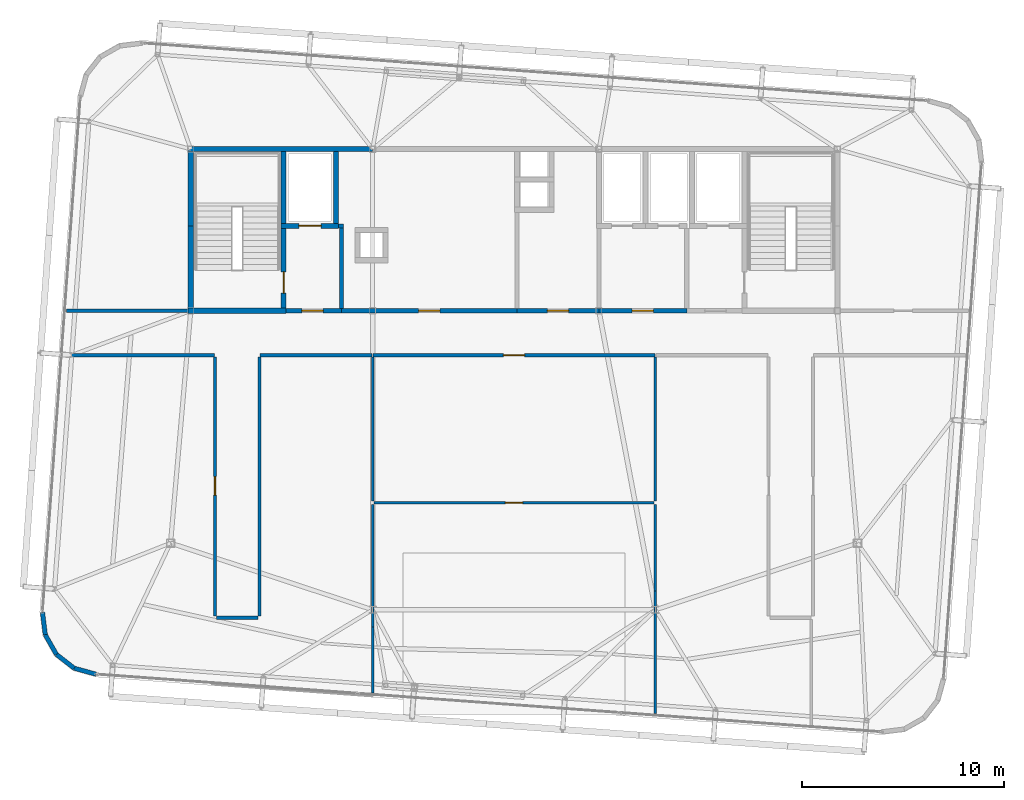
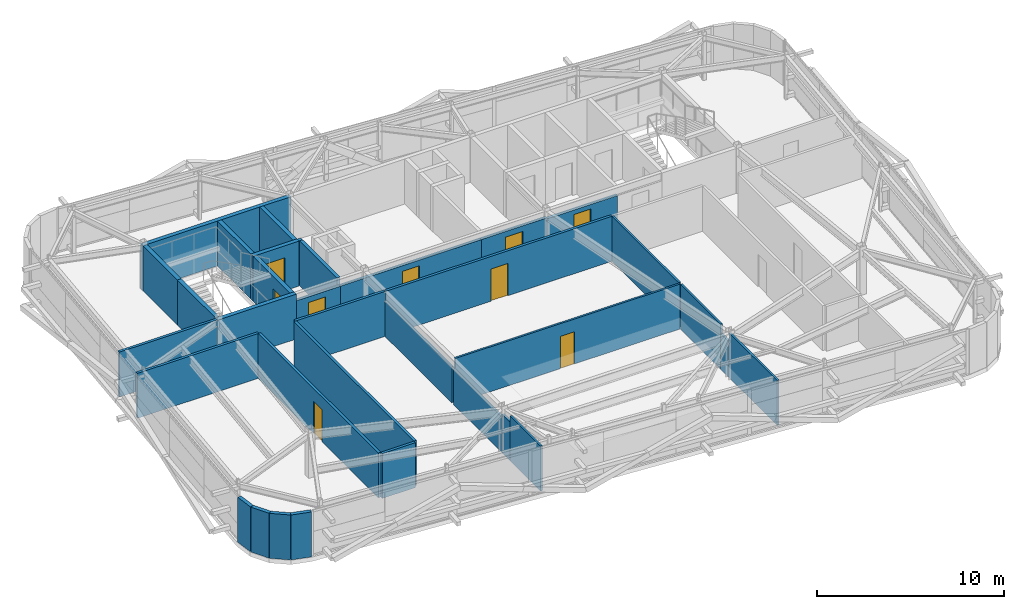
# One storey, part 31 of 35: 34 walls, 9 doors, 9 openings.
"""IFC4 building model written with IfcOpenShell, lengths in metres."""

import ifcopenshell
import ifcopenshell.guid

model = None  # the IFC model being written
_history = None  # IfcOwnerHistory: only IFC2X3 demands one
_inside = {}  # id of a spatial element -> (the spatial element, [elements in it])
_under = {}  # id of a project, library or spatial element -> (it, [spatial elements below it])
_declared = {}  # id of a project -> (the project, [libraries it declares])
_typed = {}  # id of a type object -> (the type object, [elements of that type])
_made_of = {}  # id of a material, layer set ... -> (it, [elements and type objects made of it])


def new_model(schema):
    """Start an empty IFC model of exactly this schema.

    Asked for "IFC4X3", IfcOpenShell would pick the latest addendum, in which some entities
    have other attributes; the version numbers below select the first issue.
    IFC2X3 requires an IfcOwnerHistory on every rooted entity: one is made here for all.
    """
    global model, _history
    if schema == "IFC4X3":
        model = ifcopenshell.file(schema_version=(4, 3, 0, 0))
    else:
        model = ifcopenshell.file(schema=schema)
    _inside.clear()
    _under.clear()
    _declared.clear()
    _typed.clear()
    _made_of.clear()
    _history = None
    if model.schema == "IFC2X3":
        org = make("IfcOrganization", Name="unknown")
        user = make(
            "IfcPersonAndOrganization",
            ThePerson=make("IfcPerson", FamilyName="unknown"),
            TheOrganization=org,
        )
        app = make(
            "IfcApplication",
            ApplicationDeveloper=org,
            Version="unknown",
            ApplicationFullName="unknown",
            ApplicationIdentifier="unknown",
        )
        _history = make(
            "IfcOwnerHistory",
            OwningUser=user,
            OwningApplication=app,
            ChangeAction="ADDED",
            CreationDate=0,
        )
    return model


def make(cls, **values):
    """One entity of the class cls with the attributes given. An attribute that is None is left unset."""
    return model.create_entity(
        cls, **{name: value for name, value in values.items() if value is not None}
    )


def rooted(cls, **values):
    """An entity with a GlobalId (a new one), such as an element, a storey or a relation."""
    return make(cls, GlobalId=ifcopenshell.guid.new(), OwnerHistory=_history, **values)


def si_unit(unit_type, name, prefix=None):
    """IfcSIUnit, for example si_unit("LENGTHUNIT", "METRE", prefix="MILLI")."""
    return make("IfcSIUnit", UnitType=unit_type, Prefix=prefix, Name=name)


def assignment(units):
    """IfcUnitAssignment: the units of a project."""
    return None if units is None else make("IfcUnitAssignment", Units=units)


def point(xyz):
    """IfcCartesianPoint."""
    return None if xyz is None else make("IfcCartesianPoint", Coordinates=xyz)


def direction(xyz):
    """IfcDirection."""
    return None if xyz is None else make("IfcDirection", DirectionRatios=xyz)


def frame(location, z_axis=None, x_axis=None):
    """IfcAxis2Placement3D, a coordinate frame: its origin and axes. An axis left out is left unset."""
    return make(
        "IfcAxis2Placement3D",
        Location=point(location),
        Axis=direction(z_axis),
        RefDirection=direction(x_axis),
    )


def frame_2d(location, x_axis=None):
    """IfcAxis2Placement2D, a coordinate frame in the plane: its origin and x axis."""
    return make(
        "IfcAxis2Placement2D", Location=point(location), RefDirection=direction(x_axis)
    )


def origin():
    """The frame at (0, 0, 0) with its axes left unset."""
    return frame((0.0, 0.0, 0.0))


def place(relative_to, where):
    """IfcLocalPlacement: puts the frame where relative to a parent placement (None: the world)."""
    return make(
        "IfcLocalPlacement", PlacementRelTo=relative_to, RelativePlacement=where
    )


def context(
    kind, dimensions, precision=None, world=None, true_north=None, identifier=None
):
    """IfcGeometricRepresentationContext, for example the 3D "Model" context."""
    return make(
        "IfcGeometricRepresentationContext",
        ContextIdentifier=identifier,
        ContextType=kind,
        CoordinateSpaceDimension=dimensions,
        Precision=precision,
        WorldCoordinateSystem=world,
        TrueNorth=true_north,
    )


def subcontext(parent, identifier, kind, view, scale=None):
    """IfcGeometricRepresentationSubContext, for example "Body" below "Model"."""
    return make(
        "IfcGeometricRepresentationSubContext",
        ContextIdentifier=identifier,
        ContextType=kind,
        ParentContext=parent,
        TargetScale=scale,
        TargetView=view,
    )


def project(units=None, contexts=None):
    """IfcProject with its units and contexts."""
    return rooted(
        "IfcProject",
        Name="project",
        RepresentationContexts=contexts,
        UnitsInContext=assignment(units),
    )


def spatial(cls, under=None, at=None, **own):
    """A site, building, storey or space (cls), placed at a placement, below another one or the project."""
    s = rooted(cls, ObjectPlacement=at, **own)
    if under is not None:
        _under.setdefault(under.id(), (under, []))[1].append(s)
    return s


def profile(cls, at=None, kind="AREA", **sizes):
    """A parametric profile (cls). Its sizes go by their IFC names, for example OverallWidth=200.0."""
    return make(cls, ProfileType=kind, Position=at, **sizes)


def rectangle(**sizes):
    """IfcRectangleProfileDef."""
    return profile("IfcRectangleProfileDef", **sizes)


def extrude(swept, where, along, depth):
    """IfcExtrudedAreaSolid: the profile swept, set in the frame where, extruded along a direction by depth."""
    return make(
        "IfcExtrudedAreaSolid",
        SweptArea=swept,
        Position=where,
        ExtrudedDirection=direction(along),
        Depth=depth,
    )


def shape(context_of_items, identifier, shape_type, items):
    """IfcShapeRepresentation: the items that make up one representation, for example the "Body"."""
    return make(
        "IfcShapeRepresentation",
        ContextOfItems=context_of_items,
        RepresentationIdentifier=identifier,
        RepresentationType=shape_type,
        Items=items,
    )


def source(mapping_origin, context_of_items, identifier, shape_type, items):
    """IfcRepresentationMap: a shape defined once, which mapped items show again and again."""
    return make(
        "IfcRepresentationMap",
        MappingOrigin=mapping_origin,
        MappedRepresentation=shape(context_of_items, identifier, shape_type, items),
    )


def transform(
    local_origin,
    x_axis=None,
    y_axis=None,
    z_axis=None,
    scale=None,
    scale2=None,
    scale3=None,
    uniform=True,
):
    """IfcCartesianTransformationOperator3D, or its non-uniform kind. x_axis, y_axis, z_axis: its Axis1, 2, 3."""
    if uniform:
        return make(
            "IfcCartesianTransformationOperator3D",
            Axis1=direction(x_axis),
            Axis2=direction(y_axis),
            LocalOrigin=point(local_origin),
            Scale=scale,
            Axis3=direction(z_axis),
        )
    return make(
        "IfcCartesianTransformationOperator3DnonUniform",
        Axis1=direction(x_axis),
        Axis2=direction(y_axis),
        LocalOrigin=point(local_origin),
        Scale=scale,
        Axis3=direction(z_axis),
        Scale2=scale2,
        Scale3=scale3,
    )


def mapped(mapping_source, mapping_target):
    """IfcMappedItem: shows the shape of a source again, moved by a transform."""
    return make(
        "IfcMappedItem", MappingSource=mapping_source, MappingTarget=mapping_target
    )


def material(Name=None, Category=None):
    """IfcMaterial."""
    return make("IfcMaterial", Name=Name, Category=Category)


def layer(
    of_material, thickness, ventilated=None, Name=None, Category=None, Priority=None
):
    """IfcMaterialLayer: one layer of a wall or slab, of a material (None: an air gap)."""
    return make(
        "IfcMaterialLayer",
        Material=of_material,
        LayerThickness=thickness,
        IsVentilated=ventilated,
        Name=Name,
        Category=Category,
        Priority=Priority,
    )


def layer_set(layers, Name=None):
    """IfcMaterialLayerSet."""
    return make("IfcMaterialLayerSet", MaterialLayers=layers, LayerSetName=Name)


def made_of(thing, what):
    """Note that an element or type object is made of a material, layer set ...; save() writes the relation."""
    if what is not None:
        _made_of.setdefault(what.id(), (what, []))[1].append(thing)
    return thing


def type_object(cls, material=None, **own):
    """A type object (cls), such as IfcWallType, which elements share."""
    return made_of(rooted(cls, **own), material)


def element(
    cls,
    number,
    at=None,
    inside=None,
    cuts=None,
    type_object=None,
    material=None,
    context=None,
    identifier="Body",
    shape_type=None,
    held_by="IfcProductDefinitionShape",
    body=None,
    shapes=None,
    **own,
):
    """One element of the class cls, such as IfcWall. Its Tag is "e" and its number.

    at: its placement. inside: the storey or other place that contains it. cuts: it is an
    opening in that element (IfcRelVoidsElement). A single representation is given by context,
    identifier, shape_type and body (its items); several are given by shapes. held_by: the class
    of the entity that holds the representations. save() writes the other relations.
    """
    e = rooted(cls, Tag="e%d" % number, ObjectPlacement=at, **own)
    if body is not None:
        shapes = [shape(context, identifier, shape_type, body)]
    if shapes is not None:
        e.Representation = make(held_by, Representations=shapes)
    if inside is not None:
        _inside.setdefault(inside.id(), (inside, []))[1].append(e)
    if cuts is not None:
        rooted(
            "IfcRelVoidsElement", RelatingBuildingElement=cuts, RelatedOpeningElement=e
        )
    if type_object is not None:
        _typed.setdefault(type_object.id(), (type_object, []))[1].append(e)
    return made_of(e, material)


def fill(opening, filler):
    """IfcRelFillsElement: the door or window that sits in an opening."""
    return rooted(
        "IfcRelFillsElement",
        RelatingOpeningElement=opening,
        RelatedBuildingElement=filler,
    )


def aggregate(whole, parts):
    """IfcRelAggregates: a whole, such as a stair, and the parts it consists of."""
    return rooted("IfcRelAggregates", RelatingObject=whole, RelatedObjects=parts)


def save(model, path):
    """Write the relations noted so far, then the file.

    IfcRelAggregates (storeys below a building ...), IfcRelContainedInSpatialStructure (elements
    in a storey), IfcRelDefinesByType, IfcRelAssociatesMaterial and IfcRelDeclares: one each for
    every whole, place, type object, material and project.
    """
    for whole, parts in _under.values():
        aggregate(whole, parts)
    for where, things in _inside.values():
        rooted(
            "IfcRelContainedInSpatialStructure",
            RelatedElements=things,
            RelatingStructure=where,
        )
    for kind, things in _typed.values():
        rooted("IfcRelDefinesByType", RelatedObjects=things, RelatingType=kind)
    for what, things in _made_of.values():
        rooted("IfcRelAssociatesMaterial", RelatedObjects=things, RelatingMaterial=what)
    for by, libraries in _declared.values():
        rooted("IfcRelDeclares", RelatingContext=by, RelatedDefinitions=libraries)
    model.write(path)


model = new_model("IFC4")

# Units and contexts
model_context = context("Model", 3, precision=1e-05, world=origin(), true_north=direction((0.0, 1.0)))
body_context = subcontext(model_context, "Body", "Model", "MODEL_VIEW")
ifc_project = project(units=[si_unit("LENGTHUNIT", "METRE"), si_unit("AREAUNIT", "SQUARE_METRE"), si_unit("VOLUMEUNIT", "CUBIC_METRE"), si_unit("PLANEANGLEUNIT", "RADIAN"), si_unit("MASSUNIT", "GRAM", prefix="KILO")], contexts=[model_context])

# Site, building, storey
site_placement = place(None, origin())
site = spatial("IfcSite", under=ifc_project, at=site_placement, CompositionType="ELEMENT")
building_placement = place(site_placement, origin())
building = spatial("IfcBuilding", under=site, at=building_placement, Name="Taldren Reach Tower", CompositionType="ELEMENT")
storey_placement = place(building_placement, frame((0.0, 0.0, 236.60009765625)))
storey = spatial("IfcBuildingStorey", under=building, at=storey_placement, Name="L72", CompositionType="ELEMENT", Elevation=236.60009765625)

# Walls
ifc_material_1 = material(Name="Pale Champagne Anodised Aluminium Cladding", Category="aluminium")
ifc_layer_1 = layer(ifc_material_1, 0.04, Name="Pale Champagne Anodised Aluminium Cladding", Category="aluminium")
ifc_material_2 = material(Name="Mineral Wool Acoustic Insulation", Category="insulation")
ifc_layer_2 = layer(ifc_material_2, 0.06, Name="Mineral Wool Acoustic Insulation", Category="insulation")
ifc_material_3 = material(Name="Steel Gr 350 (C350L0)", Category="steel")
ifc_layer_3 = layer(ifc_material_3, 0.12, Name="Steel Gr 350 (C350L0)", Category="steel")
ifc_layer_set_1 = layer_set([ifc_layer_1, ifc_layer_2, ifc_layer_3], Name="Pale Champagne Aluminium Cladding and Steel Gr 350 Stud Framing")
wall_type_1 = type_object("IfcWallType", Name="EW-CRN-220", PredefinedType="SOLIDWALL", material=ifc_layer_set_1)
shared_shape_1 = source(origin(), body_context, "Body", "SweptSolid", [
    extrude(rectangle(XDim=1.115966796875, YDim=0.219970703125, at=frame_2d((0.55810546875, 0.0))), origin(), (0.0, 0.0, 1.0), 2.929931640625),
])
for number, where, z_axis, x_axis, name in (
    (1, (11.66259765625, 9.072021484375, 0.0), (0.0, 0.0, 1.0), (0.122742076028, -0.992438604032, 0.0), "Rounded-corner pale-metal facade wall L72-SW1"),
    (2, (11.799560546875, 7.964599609375, 0.0), (0.0, 0.0, 1.0), (0.493073284892, -0.869987779067, 0.0), "Rounded-corner pale-metal facade wall L72-SW2"),
    (3, (12.349853515625, 6.99365234375, 0.0), (0.0, 0.0, 1.0), (0.788597772321, -0.614909386406, 0.0), "Rounded-corner pale-metal facade wall L72-SW3"),
):
    element("IfcWall", number, at=place(storey_placement, frame(where, z_axis=z_axis, x_axis=x_axis)), inside=storey, type_object=wall_type_1, Name=name, PredefinedType="SOLIDWALL", context=body_context, shape_type="MappedRepresentation", body=[
        mapped(shared_shape_1, transform((0.0, 0.0, 0.0), scale=1.0)),
    ])
shared_shape_2 = source(origin(), body_context, "Body", "SweptSolid", [
    extrude(rectangle(XDim=1.11572265625, YDim=0.219970703125, at=frame_2d((0.557861328125, 0.0))), origin(), (0.0, 0.0, 1.0), 2.929931640625),
])
wall_1_placement = place(storey_placement, frame((13.22998046875, 6.307373046875, 0.0), z_axis=(0.0, 0.0, 1.0), x_axis=(0.963890028874, -0.266300605026, 0.0)))
element("IfcWall", 4, at=wall_1_placement, inside=storey, type_object=wall_type_1, Name="Rounded-corner pale-metal facade wall L72-SW4", PredefinedType="SOLIDWALL", context=body_context, shape_type="MappedRepresentation", body=[
    mapped(shared_shape_2, transform((0.0, 0.0, 0.0), scale=1.0)),
])

# Wall, opening, door
ifc_material_4 = material(Name="Concrete S50 (50 MPa)", Category="concrete")
ifc_layer_4 = layer(ifc_material_4, 0.199951171875)
ifc_layer_set_2 = layer_set([ifc_layer_4], Name="Concrete S50 (50 MPa)")
wall_type_2 = type_object("IfcWallType", Name="IW-CORE-200", PredefinedType="SOLIDWALL", material=ifc_layer_set_2)
shared_shape_3 = source(origin(), body_context, "Body", "SweptSolid", [
    extrude(rectangle(XDim=4.35009765625, YDim=0.199951171875, at=frame_2d((2.175048828125, 0.0))), origin(), (0.0, 0.0, 1.0), 2.39697265625),
])
wall_2_placement = place(storey_placement, frame((43.550048828125, 24.0, 0.0), z_axis=(0.0, 0.0, 1.0), x_axis=(-1.0, 0.0, 0.0)))
wall_2 = element("IfcWall", 5, at=wall_2_placement, inside=storey, type_object=wall_type_2, Name="Rear Core Shear Wall W-INT-L72-030", PredefinedType="SOLIDWALL", context=body_context, shape_type="MappedRepresentation", body=[
    mapped(shared_shape_3, transform((0.0, 0.0, 0.0), scale=1.0)),
])
shared_shape_4 = source(origin(), body_context, "Body", "SweptSolid", [
    extrude(rectangle(XDim=1.050048828125, YDim=2.10009765625, at=frame_2d((0.52490234375, 1.050048828125))), frame((0.0, 0.10986328125, 0.0), z_axis=(0.0, -1.0, 0.0), x_axis=(1.0, 0.0, 0.0)), (0.0, 0.0, 1.0), 0.219970703125),
])
opening_1_placement = place(wall_2_placement, frame((1.64990234375, 0.0, 0.0)))
opening_1 = element("IfcOpeningElement", 6, at=opening_1_placement, cuts=wall_2, Name="Opening DF-105", PredefinedType="OPENING", context=body_context, shape_type="MappedRepresentation", body=[
    mapped(shared_shape_4, transform((0.0, 0.0, 0.0), scale=1.0)),
])
ifc_material_5 = material(Name="Fire-Rated Care and Stair Exit Door")
door_type_1 = type_object("IfcDoorType", Name="ID-FIRE-105", OperationType="NOTDEFINED", PredefinedType="DOOR", material=ifc_material_5)
shared_shape_5 = source(origin(), body_context, "Body", "SweptSolid", [
    extrude(rectangle(XDim=1.050048828125, YDim=2.10009765625, at=frame_2d((0.52490234375, 1.050048828125))), frame((0.0, 0.02490234375, 0.0), z_axis=(0.0, -1.0, 0.0), x_axis=(1.0, 0.0, 0.0)), (0.0, 0.0, 1.0), 0.050048828125),
])
door_1_placement = place(opening_1_placement, frame((1.050048828125, 0.0, 0.0), z_axis=(0.0, 0.0, 1.0), x_axis=(-1.0, 0.0, 0.0)))
door_1 = element("IfcDoor", 7, at=door_1_placement, inside=storey, type_object=door_type_1, Name="Interior Door DR-L72-005", OperationType="SINGLE_SWING_LEFT", OverallHeight=2.10009765625, OverallWidth=1.050048828125, PredefinedType="DOOR", context=body_context, shape_type="MappedRepresentation", body=[
    mapped(shared_shape_5, transform((0.0, 0.0, 0.0), scale=1.0)),
])
fill(opening_1, door_1)

ifc_material_6 = material(Name="Fire-Rated Acoustic Plasterboard Stud Wall", Category="gypsum")
ifc_layer_5 = layer(ifc_material_6, 0.159912109375)
ifc_layer_set_3 = layer_set([ifc_layer_5], Name="Fire-Rated Acoustic Plasterboard Stud Wall")
wall_type_3 = type_object("IfcWallType", Name="IW-FIRE-160", PredefinedType="PARTITIONING", material=ifc_layer_set_3)
shared_shape_6 = source(origin(), body_context, "Body", "SweptSolid", [
    extrude(rectangle(XDim=13.95947265625, YDim=0.159912109375, at=frame_2d((6.979736328125, 0.0))), origin(), (0.0, 0.0, 1.0), 2.929931640625),
])
wall_3_placement = place(storey_placement, frame((41.979736328125, 21.800048828125, 0.0), z_axis=(0.0, 0.0, 1.0), x_axis=(-1.0, 0.0, 0.0)))
wall_3 = element("IfcWall", 8, at=wall_3_placement, inside=storey, type_object=wall_type_3, Name="Interior Partition Wall W-INT-L72-034", PredefinedType="PARTITIONING", context=body_context, shape_type="MappedRepresentation", body=[
    mapped(shared_shape_6, transform((0.0, 0.0, 0.0), scale=1.0)),
])
shared_shape_7 = source(origin(), body_context, "Body", "SweptSolid", [
    extrude(rectangle(XDim=1.050048828125, YDim=2.10009765625, at=frame_2d((0.52490234375, 1.050048828125))), frame((0.0, 0.08984375, 0.0), z_axis=(0.0, -1.0, 0.0), x_axis=(1.0, 0.0, 0.0)), (0.0, 0.0, 1.0), 0.179931640625),
])
opening_2_placement = place(wall_3_placement, frame((6.454833984375, 0.0, 0.0)))
opening_2 = element("IfcOpeningElement", 9, at=opening_2_placement, cuts=wall_3, Name="Opening DF-105", PredefinedType="OPENING", context=body_context, shape_type="MappedRepresentation", body=[
    mapped(shared_shape_7, transform((0.0, 0.0, 0.0), scale=1.0)),
])
door_2_placement = place(opening_2_placement, origin())
door_2 = element("IfcDoor", 10, at=door_2_placement, inside=storey, type_object=door_type_1, Name="Interior Door DR-L72-008", OperationType="SINGLE_SWING_LEFT", OverallHeight=2.10009765625, OverallWidth=1.050048828125, PredefinedType="DOOR", context=body_context, shape_type="MappedRepresentation", body=[
    mapped(shared_shape_5, transform((0.0, 0.0, 0.0), scale=1.0)),
])
fill(opening_2, door_2)

# Walls
shared_shape_8 = source(origin(), body_context, "Body", "SweptSolid", [
    extrude(rectangle(XDim=2.0400390625, YDim=0.159912109375, at=frame_2d((1.02001953125, 0.0))), origin(), (0.0, 0.0, 1.0), 2.929931640625),
])
wall_4_placement = place(storey_placement, frame((22.320068359375, 8.800048828125, 0.0), z_axis=(0.0, 0.0, 1.0), x_axis=(-1.0, 0.0, 0.0)))
element("IfcWall", 11, at=wall_4_placement, inside=storey, type_object=wall_type_3, Name="Interior Partition Wall W-INT-L72-039", PredefinedType="PARTITIONING", context=body_context, shape_type="MappedRepresentation", body=[
    mapped(shared_shape_8, transform((0.0, 0.0, 0.0), scale=1.0)),
])
shared_shape_9 = source(origin(), body_context, "Body", "SweptSolid", [
    extrude(rectangle(XDim=4.0, YDim=0.199951171875, at=frame_2d((2.0, 0.0))), origin(), (0.0, 0.0, 1.0), 2.929931640625),
])
wall_5_placement = place(storey_placement, frame((26.449951171875, 24.10009765625, 0.0), z_axis=(0.0, 0.0, 1.0), x_axis=(0.0, 1.0, 0.0)))
element("IfcWall", 12, at=wall_5_placement, inside=storey, type_object=wall_type_2, Name="Rear Core Shear Wall W-INT-L72-006", PredefinedType="SOLIDWALL", context=body_context, shape_type="MappedRepresentation", body=[
    mapped(shared_shape_9, transform((0.0, 0.0, 0.0), scale=1.0)),
])
ifc_material_7 = material(Name="Insulated Residential Stud Partition", Category="gypsum")
ifc_layer_6 = layer(ifc_material_7, 0.1201171875)
ifc_layer_set_4 = layer_set([ifc_layer_6], Name="Insulated Residential Stud Partition")
wall_type_4 = type_object("IfcWallType", Name="IW-PART-120", PredefinedType="PARTITIONING", material=ifc_layer_set_4)
shared_shape_10 = source(origin(), body_context, "Body", "SweptSolid", [
    extrude(rectangle(XDim=0.941650390625, YDim=0.1201171875, at=frame_2d((0.470703125, 0.0))), origin(), (0.0, 0.0, 1.0), 2.327880859375),
])
wall_6_placement = place(storey_placement, frame((42.0, 10.13037109375, 0.0), z_axis=(0.0, 0.0, 1.0), x_axis=(0.0, -1.0, 0.0)))
element("IfcWall", 13, at=wall_6_placement, inside=storey, type_object=wall_type_4, Name="Interior Partition Wall W-INT-L72-049 part 2", PredefinedType="PARTITIONING", context=body_context, shape_type="MappedRepresentation", body=[
    mapped(shared_shape_10, transform((0.0, 0.0, 0.0), scale=1.0)),
])
ifc_material_8 = material(Name="Concrete S65 (65 MPa)", Category="concrete")
ifc_layer_7 = layer(ifc_material_8, 0.25)
ifc_layer_set_5 = layer_set([ifc_layer_7], Name="Concrete S65 (65 MPa)")
wall_type_5 = type_object("IfcWallType", Name="IW-CORE-250", PredefinedType="SHEAR", material=ifc_layer_set_5)
shared_shape_11 = source(origin(), body_context, "Body", "SweptSolid", [
    extrude(rectangle(XDim=9.125, YDim=0.25, at=frame_2d((4.5625, 0.0))), origin(), (0.0, 0.0, 1.0), 2.929931640625),
])
wall_7_placement = place(storey_placement, frame((18.875, 32.0, 0.0), z_axis=(0.0, 0.0, 1.0), x_axis=(1.0, 0.0, 0.0)))
element("IfcWall", 14, at=wall_7_placement, inside=storey, type_object=wall_type_5, Name="Rear Core Shear Wall W-CORE-L72-NORTH1", PredefinedType="SHEAR", context=body_context, shape_type="MappedRepresentation", body=[
    mapped(shared_shape_11, transform((0.0, 0.0, 0.0), scale=1.0)),
])
shared_shape_12 = source(origin(), body_context, "Body", "SweptSolid", [
    extrude(rectangle(XDim=4.074951171875, YDim=0.25, at=frame_2d((2.03759765625, 0.0))), origin(), (0.0, 0.0, 1.0), 2.929931640625),
])
wall_8_placement = place(storey_placement, frame((19.0, 24.125, 0.0), z_axis=(0.0, 0.0, 1.0), x_axis=(0.0, 1.0, 0.0)))
element("IfcWall", 15, at=wall_8_placement, inside=storey, type_object=wall_type_5, Name="Rear Core Shear Wall W-CORE-L72-WEST1", PredefinedType="SHEAR", context=body_context, shape_type="MappedRepresentation", body=[
    mapped(shared_shape_12, transform((0.0, 0.0, 0.0), scale=1.0)),
])
shared_shape_13 = source(origin(), body_context, "Body", "SweptSolid", [
    extrude(rectangle(XDim=3.675048828125, YDim=0.25, at=frame_2d((1.83740234375, 0.0))), origin(), (0.0, 0.0, 1.0), 2.929931640625),
])
wall_9_placement = place(storey_placement, frame((19.0, 28.199951171875, 0.0), z_axis=(0.0, 0.0, 1.0), x_axis=(0.0, 1.0, 0.0)))
element("IfcWall", 16, at=wall_9_placement, inside=storey, type_object=wall_type_5, Name="Rear Core Shear Wall W-CORE-L72-WEST2", PredefinedType="SHEAR", context=body_context, shape_type="MappedRepresentation", body=[
    mapped(shared_shape_13, transform((0.0, 0.0, 0.0), scale=1.0)),
])
shared_shape_14 = source(origin(), body_context, "Body", "SweptSolid", [
    extrude(rectangle(XDim=3.550048828125, YDim=0.25, at=frame_2d((1.77490234375, 0.0))), origin(), (0.0, 0.0, 1.0), 2.929931640625),
])
for number, where, z_axis, x_axis, name in (
    (17, (23.60009765625, 28.324951171875, 0.0), (0.0, 0.0, 1.0), (0.0, 1.0, 0.0), "Rear Core Shear Wall W-INT-L72-001"),
    (18, (26.199951171875, 28.324951171875, 0.0), (0.0, 0.0, 1.0), (0.0, 1.0, 0.0), "Rear Core Shear Wall W-INT-L72-005"),
):
    element("IfcWall", number, at=place(storey_placement, frame(where, z_axis=z_axis, x_axis=x_axis)), inside=storey, type_object=wall_type_5, Name=name, PredefinedType="SHEAR", context=body_context, shape_type="MappedRepresentation", body=[
        mapped(shared_shape_14, transform((0.0, 0.0, 0.0), scale=1.0)),
    ])

# Wall, opening, door
shared_shape_15 = source(origin(), body_context, "Body", "SweptSolid", [
    extrude(rectangle(XDim=3.949951171875, YDim=0.25, at=frame_2d((1.97509765625, 0.0))), origin(), (0.0, 0.0, 1.0), 2.929931640625),
])
wall_10_placement = place(storey_placement, frame((23.60009765625, 24.125, 0.0), z_axis=(0.0, 0.0, 1.0), x_axis=(0.0, 1.0, 0.0)))
wall_10 = element("IfcWall", 19, at=wall_10_placement, inside=storey, type_object=wall_type_5, Name="Rear Core Shear Wall W-INT-L72-002", PredefinedType="SHEAR", context=body_context, shape_type="MappedRepresentation", body=[
    mapped(shared_shape_15, transform((0.0, 0.0, 0.0), scale=1.0)),
])
shared_shape_16 = source(origin(), body_context, "Body", "SweptSolid", [
    extrude(rectangle(XDim=1.050048828125, YDim=2.10009765625, at=frame_2d((0.52490234375, 1.050048828125))), frame((0.0, 0.135009765625, 0.0), z_axis=(0.0, -1.0, 0.0), x_axis=(1.0, 0.0, 0.0)), (0.0, 0.0, 1.0), 0.27001953125),
])
opening_3_placement = place(wall_10_placement, frame((0.75, 0.0, 0.0)))
opening_3 = element("IfcOpeningElement", 20, at=opening_3_placement, cuts=wall_10, Name="Opening DF-105", PredefinedType="OPENING", context=body_context, shape_type="MappedRepresentation", body=[
    mapped(shared_shape_16, transform((0.0, 0.0, 0.0), scale=1.0)),
])
door_3_placement = place(opening_3_placement, origin())
door_3 = element("IfcDoor", 21, at=door_3_placement, inside=storey, type_object=door_type_1, Name="Fire Exit Stair Door DR-L72-001", OperationType="SINGLE_SWING_LEFT", OverallHeight=2.10009765625, OverallWidth=1.050048828125, PredefinedType="DOOR", context=body_context, shape_type="MappedRepresentation", body=[
    mapped(shared_shape_5, transform((0.0, 0.0, 0.0), scale=1.0)),
])
fill(opening_3, door_3)

# Wall
shared_shape_17 = source(origin(), body_context, "Body", "SweptSolid", [
    extrude(rectangle(XDim=4.85009765625, YDim=0.25, at=frame_2d((2.425048828125, 0.0))), origin(), (0.0, 0.0, 1.0), 2.929931640625),
])
wall_11_placement = place(storey_placement, frame((18.875, 24.0, 0.0), z_axis=(0.0, 0.0, 1.0), x_axis=(1.0, 0.0, 0.0)))
element("IfcWall", 22, at=wall_11_placement, inside=storey, type_object=wall_type_5, Name="Rear Core Shear Wall W-INT-L72-003", PredefinedType="SHEAR", context=body_context, shape_type="MappedRepresentation", body=[
    mapped(shared_shape_17, transform((0.0, 0.0, 0.0), scale=1.0)),
])

# Wall, opening, door
shared_shape_18 = source(origin(), body_context, "Body", "SweptSolid", [
    extrude(rectangle(XDim=2.849853515625, YDim=0.25, at=frame_2d((1.4248046875, 0.0))), origin(), (0.0, 0.0, 1.0), 2.929931640625),
])
wall_12_placement = place(storey_placement, frame((23.47509765625, 28.199951171875, 0.0), z_axis=(0.0, 0.0, 1.0), x_axis=(1.0, 0.0, 0.0)))
wall_12 = element("IfcWall", 23, at=wall_12_placement, inside=storey, type_object=wall_type_5, Name="Rear Core Shear Wall W-INT-L72-004", PredefinedType="SHEAR", context=body_context, shape_type="MappedRepresentation", body=[
    mapped(shared_shape_18, transform((0.0, 0.0, 0.0), scale=1.0)),
])
shared_shape_19 = source(origin(), body_context, "Body", "SweptSolid", [
    extrude(rectangle(XDim=1.10009765625, YDim=2.14990234375, at=frame_2d((0.550048828125, 1.074951171875))), frame((0.0, 0.135009765625, 0.0), z_axis=(0.0, -1.0, 0.0), x_axis=(1.0, 0.0, 0.0)), (0.0, 0.0, 1.0), 0.27001953125),
])
opening_4_placement = place(wall_12_placement, frame((0.875, 0.0, 0.0)))
opening_4 = element("IfcOpeningElement", 24, at=opening_4_placement, cuts=wall_12, Name="Opening LD-FL1", PredefinedType="OPENING", context=body_context, shape_type="MappedRepresentation", body=[
    mapped(shared_shape_19, transform((0.0, 0.0, 0.0), scale=1.0)),
])
ifc_material_9 = material(Name="Stainless Steel Gr 316 Emergency Lift Landing Door", Category="steel")
door_type_2 = type_object("IfcDoorType", Name="LD-EMG-110", OperationType="SLIDING_TO_LEFT", PredefinedType="DOOR", material=ifc_material_9)
shared_shape_20 = source(origin(), body_context, "Body", "SweptSolid", [
    extrude(rectangle(XDim=1.10009765625, YDim=2.14990234375, at=frame_2d((0.550048828125, 1.074951171875))), frame((0.0, 0.02490234375, 0.0), z_axis=(0.0, -1.0, 0.0), x_axis=(1.0, 0.0, 0.0)), (0.0, 0.0, 1.0), 0.050048828125),
])
door_4_placement = place(opening_4_placement, origin())
door_4 = element("IfcDoor", 25, at=door_4_placement, inside=storey, type_object=door_type_2, Name="Lift Landing Door LD-FL1-L72", OperationType="SLIDING_TO_LEFT", OverallHeight=2.14990234375, OverallWidth=1.10009765625, PredefinedType="DOOR", context=body_context, shape_type="MappedRepresentation", body=[
    mapped(shared_shape_20, transform((0.0, 0.0, 0.0), scale=1.0)),
])
fill(opening_4, door_4)

shared_shape_21 = source(origin(), body_context, "Body", "SweptSolid", [
    extrude(rectangle(XDim=2.724853515625, YDim=0.199951171875, at=frame_2d((1.3623046875, 0.0))), origin(), (0.0, 0.0, 1.0), 2.469970703125),
])
wall_13_placement = place(storey_placement, frame((23.72509765625, 24.0, 0.0), z_axis=(0.0, 0.0, 1.0), x_axis=(1.0, 0.0, 0.0)))
wall_13 = element("IfcWall", 26, at=wall_13_placement, inside=storey, type_object=wall_type_2, Name="Rear Core Shear Wall W-INT-L72-007", PredefinedType="SOLIDWALL", context=body_context, shape_type="MappedRepresentation", body=[
    mapped(shared_shape_21, transform((0.0, 0.0, 0.0), scale=1.0)),
])
opening_5_placement = place(wall_13_placement, frame((0.77490234375, 0.0, 0.0)))
opening_5 = element("IfcOpeningElement", 27, at=opening_5_placement, cuts=wall_13, Name="Opening DF-105", PredefinedType="OPENING", context=body_context, shape_type="MappedRepresentation", body=[
    mapped(shared_shape_4, transform((0.0, 0.0, 0.0), scale=1.0)),
])
door_5_placement = place(opening_5_placement, origin())
door_5 = element("IfcDoor", 28, at=door_5_placement, inside=storey, type_object=door_type_1, Name="Interior Door DR-L72-002", OperationType="SINGLE_SWING_LEFT", OverallHeight=2.10009765625, OverallWidth=1.050048828125, PredefinedType="DOOR", context=body_context, shape_type="MappedRepresentation", body=[
    mapped(shared_shape_5, transform((0.0, 0.0, 0.0), scale=1.0)),
])
fill(opening_5, door_5)

shared_shape_22 = source(origin(), body_context, "Body", "SweptSolid", [
    extrude(rectangle(XDim=4.050048828125, YDim=0.199951171875, at=frame_2d((2.02490234375, 0.0))), origin(), (0.0, 0.0, 1.0), 2.469970703125),
])
wall_14_placement = place(storey_placement, frame((39.199951171875, 24.0, 0.0), z_axis=(0.0, 0.0, 1.0), x_axis=(-1.0, 0.0, 0.0)))
wall_14 = element("IfcWall", 29, at=wall_14_placement, inside=storey, type_object=wall_type_2, Name="Rear Core Shear Wall W-INT-L72-033", PredefinedType="SOLIDWALL", context=body_context, shape_type="MappedRepresentation", body=[
    mapped(shared_shape_22, transform((0.0, 0.0, 0.0), scale=1.0)),
])
opening_6_placement = place(wall_14_placement, frame((1.5, 0.0, 0.0)))
opening_6 = element("IfcOpeningElement", 30, at=opening_6_placement, cuts=wall_14, Name="Opening DF-105", PredefinedType="OPENING", context=body_context, shape_type="MappedRepresentation", body=[
    mapped(shared_shape_4, transform((0.0, 0.0, 0.0), scale=1.0)),
])
door_6_placement = place(opening_6_placement, frame((1.050048828125, 0.0, 0.0), z_axis=(0.0, 0.0, 1.0), x_axis=(-1.0, 0.0, 0.0)))
door_6 = element("IfcDoor", 31, at=door_6_placement, inside=storey, type_object=door_type_1, Name="Interior Door DR-L72-007", OperationType="SINGLE_SWING_LEFT", OverallHeight=2.10009765625, OverallWidth=1.050048828125, PredefinedType="DOOR", context=body_context, shape_type="MappedRepresentation", body=[
    mapped(shared_shape_5, transform((0.0, 0.0, 0.0), scale=1.0)),
])
fill(opening_6, door_6)

shared_shape_23 = source(origin(), body_context, "Body", "SweptSolid", [
    extrude(rectangle(XDim=12.840087890625, YDim=0.159912109375, at=frame_2d((6.419921875, 0.0))), origin(), (0.0, 0.0, 1.0), 2.929931640625),
])
wall_15_placement = place(storey_placement, frame((20.199951171875, 8.8798828125, 0.0), z_axis=(0.0, 0.0, 1.0), x_axis=(0.0, 1.0, 0.0)))
wall_15 = element("IfcWall", 32, at=wall_15_placement, inside=storey, type_object=wall_type_3, Name="Interior Partition Wall W-INT-L72-035", PredefinedType="PARTITIONING", context=body_context, shape_type="MappedRepresentation", body=[
    mapped(shared_shape_23, transform((0.0, 0.0, 0.0), scale=1.0)),
])
shared_shape_24 = source(origin(), body_context, "Body", "SweptSolid", [
    extrude(rectangle(XDim=0.919921875, YDim=2.10009765625, at=frame_2d((0.4599609375, 1.050048828125))), frame((0.0, 0.08984375, 0.0), z_axis=(0.0, -1.0, 0.0), x_axis=(1.0, 0.0, 0.0)), (0.0, 0.0, 1.0), 0.179931640625),
])
opening_7_placement = place(wall_15_placement, frame((5.98974609375, 0.0, 0.0)))
opening_7 = element("IfcOpeningElement", 33, at=opening_7_placement, cuts=wall_15, Name="Opening DI-092", PredefinedType="OPENING", context=body_context, shape_type="MappedRepresentation", body=[
    mapped(shared_shape_24, transform((0.0, 0.0, 0.0), scale=1.0)),
])
ifc_material_10 = material(Name="Solid-Core Timber Suite Door", Category="wood")
door_type_3 = type_object("IfcDoorType", Name="ID-INT-092", OperationType="NOTDEFINED", PredefinedType="DOOR", material=ifc_material_10)
shared_shape_25 = source(origin(), body_context, "Body", "SweptSolid", [
    extrude(rectangle(XDim=0.919921875, YDim=2.10009765625, at=frame_2d((0.4599609375, 1.050048828125))), frame((0.0, 0.02490234375, 0.0), z_axis=(0.0, -1.0, 0.0), x_axis=(1.0, 0.0, 0.0)), (0.0, 0.0, 1.0), 0.050048828125),
])
door_7_placement = place(opening_7_placement, origin())
door_7 = element("IfcDoor", 34, at=door_7_placement, inside=storey, type_object=door_type_3, Name="Interior Door DR-L72-009", OperationType="SINGLE_SWING_RIGHT", OverallHeight=2.10009765625, OverallWidth=0.919921875, PredefinedType="DOOR", context=body_context, shape_type="MappedRepresentation", body=[
    mapped(shared_shape_25, transform((0.0, 0.0, 0.0), scale=1.0)),
])
fill(opening_7, door_7)

# Walls
wall_16_placement = place(storey_placement, frame((22.39990234375, 21.719970703125, 0.0), z_axis=(0.0, 0.0, 1.0), x_axis=(0.0, -1.0, 0.0)))
element("IfcWall", 35, at=wall_16_placement, inside=storey, type_object=wall_type_3, Name="Interior Partition Wall W-INT-L72-036", PredefinedType="PARTITIONING", context=body_context, shape_type="MappedRepresentation", body=[
    mapped(shared_shape_23, transform((0.0, 0.0, 0.0), scale=1.0)),
])
shared_shape_26 = source(origin(), body_context, "Body", "SweptSolid", [
    extrude(rectangle(XDim=0.22509765625, YDim=0.199951171875, at=frame_2d((0.112548828125, 0.0))), origin(), (0.0, 0.0, 1.0), 2.929931640625),
])
wall_17_placement = place(storey_placement, frame((26.324951171875, 28.199951171875, 0.0), z_axis=(0.0, 0.0, 1.0), x_axis=(1.0, 0.0, 0.0)))
element("IfcWall", 36, at=wall_17_placement, inside=storey, type_object=wall_type_2, Name="Rear Core Partition Wall W-INT-L72-053", PredefinedType="SOLIDWALL", context=body_context, shape_type="MappedRepresentation", body=[
    mapped(shared_shape_26, transform((0.0, 0.0, 0.0), scale=1.0)),
])
shared_shape_27 = source(origin(), body_context, "Body", "SweptSolid", [
    extrude(rectangle(XDim=5.559326171875, YDim=0.159912109375, at=frame_2d((2.77978515625, 0.0))), origin(), (0.0, 0.0, 1.0), 2.929931640625),
])
wall_18_placement = place(storey_placement, frame((27.979736328125, 21.800048828125, 0.0), z_axis=(0.0, 0.0, 1.0), x_axis=(-1.0, 0.0, 0.0)))
element("IfcWall", 37, at=wall_18_placement, inside=storey, type_object=wall_type_3, Name="Interior Partition Wall W-INT-L72-038", PredefinedType="PARTITIONING", context=body_context, shape_type="MappedRepresentation", body=[
    mapped(shared_shape_27, transform((0.0, 0.0, 0.0), scale=1.0)),
])

# Wall, opening, door
shared_shape_28 = source(origin(), body_context, "Body", "SweptSolid", [
    extrude(rectangle(XDim=8.699951171875, YDim=0.199951171875, at=frame_2d((4.35009765625, 0.0))), origin(), (0.0, 0.0, 1.0), 2.469970703125),
])
wall_19_placement = place(storey_placement, frame((35.14990234375, 24.0, 0.0), z_axis=(0.0, 0.0, 1.0), x_axis=(-1.0, 0.0, 0.0)))
wall_19 = element("IfcWall", 38, at=wall_19_placement, inside=storey, type_object=wall_type_2, Name="Rear Core Shear Wall W-INT-L72-032", PredefinedType="SOLIDWALL", context=body_context, shape_type="MappedRepresentation", body=[
    mapped(shared_shape_28, transform((0.0, 0.0, 0.0), scale=1.0)),
])
opening_8_placement = place(wall_19_placement, frame((3.824951171875, 0.0, 0.0)))
opening_8 = element("IfcOpeningElement", 39, at=opening_8_placement, cuts=wall_19, Name="Opening DF-105", PredefinedType="OPENING", context=body_context, shape_type="MappedRepresentation", body=[
    mapped(shared_shape_4, transform((0.0, 0.0, 0.0), scale=1.0)),
])
door_8_placement = place(opening_8_placement, frame((1.050048828125, 0.0, 0.0), z_axis=(0.0, 0.0, 1.0), x_axis=(-1.0, 0.0, 0.0)))
door_8 = element("IfcDoor", 40, at=door_8_placement, inside=storey, type_object=door_type_1, Name="Interior Door DR-L72-006", OperationType="SINGLE_SWING_RIGHT", OverallHeight=2.10009765625, OverallWidth=1.050048828125, PredefinedType="DOOR", context=body_context, shape_type="MappedRepresentation", body=[
    mapped(shared_shape_5, transform((0.0, 0.0, 0.0), scale=1.0)),
])
fill(opening_8, door_8)

# Walls
shared_shape_29 = source(origin(), body_context, "Body", "SweptSolid", [
    extrude(rectangle(XDim=6.03173828125, YDim=0.159912109375, at=frame_2d((3.015869140625, 0.0))), origin(), (0.0, 0.0, 1.0), 2.929931640625),
])
wall_20_placement = place(storey_placement, frame((12.84326171875, 24.0, 0.0), z_axis=(0.0, 0.0, 1.0), x_axis=(1.0, 0.0, 0.0)))
element("IfcWall", 41, at=wall_20_placement, inside=storey, type_object=wall_type_3, Name="Interior Partition Wall W-INT-L72-046", PredefinedType="PARTITIONING", context=body_context, shape_type="MappedRepresentation", body=[
    mapped(shared_shape_29, transform((0.0, 0.0, 0.0), scale=1.0)),
])
shared_shape_30 = source(origin(), body_context, "Body", "SweptSolid", [
    extrude(rectangle(XDim=7.486328125, YDim=0.159912109375, at=frame_2d((3.7431640625, 0.0))), origin(), (0.0, 0.0, 1.0), 2.929931640625),
])
wall_21_placement = place(storey_placement, frame((20.1796875, 21.800048828125, 0.0), z_axis=(0.0, 0.0, 1.0), x_axis=(-1.0, 0.0, 0.0)))
element("IfcWall", 42, at=wall_21_placement, inside=storey, type_object=wall_type_3, Name="Interior Partition Wall W-INT-L72-037", PredefinedType="PARTITIONING", context=body_context, shape_type="MappedRepresentation", body=[
    mapped(shared_shape_30, transform((0.0, 0.0, 0.0), scale=1.0)),
])

# Wall, opening, door
shared_shape_31 = source(origin(), body_context, "Body", "SweptSolid", [
    extrude(rectangle(XDim=13.83984375, YDim=0.1201171875, at=frame_2d((6.919921875, 0.0))), origin(), (0.0, 0.0, 1.0), 2.929931640625),
])
wall_22_placement = place(storey_placement, frame((28.080078125, 14.5, 0.0), z_axis=(0.0, 0.0, 1.0), x_axis=(1.0, 0.0, 0.0)))
wall_22 = element("IfcWall", 43, at=wall_22_placement, inside=storey, type_object=wall_type_4, Name="Interior Partition Wall W-INT-L72-047", PredefinedType="PARTITIONING", context=body_context, shape_type="MappedRepresentation", body=[
    mapped(shared_shape_31, transform((0.0, 0.0, 0.0), scale=1.0)),
])
shared_shape_32 = source(origin(), body_context, "Body", "SweptSolid", [
    extrude(rectangle(XDim=0.860107421875, YDim=2.10009765625, at=frame_2d((0.43017578125, 1.050048828125))), frame((0.0, 0.070068359375, 0.0), z_axis=(0.0, -1.0, 0.0), x_axis=(1.0, 0.0, 0.0)), (0.0, 0.0, 1.0), 0.14013671875),
])
opening_9_placement = place(wall_22_placement, frame((6.489990234375, 0.0, 0.0)))
opening_9 = element("IfcOpeningElement", 44, at=opening_9_placement, cuts=wall_22, Name="Opening DI-086", PredefinedType="OPENING", context=body_context, shape_type="MappedRepresentation", body=[
    mapped(shared_shape_32, transform((0.0, 0.0, 0.0), scale=1.0)),
])
ifc_material_11 = material(Name="Timber Bathroom Door", Category="wood")
door_type_4 = type_object("IfcDoorType", Name="ID-INT-086", OperationType="NOTDEFINED", PredefinedType="DOOR", material=ifc_material_11)
shared_shape_33 = source(origin(), body_context, "Body", "SweptSolid", [
    extrude(rectangle(XDim=0.860107421875, YDim=2.10009765625, at=frame_2d((0.43017578125, 1.050048828125))), frame((0.0, 0.02490234375, 0.0), z_axis=(0.0, -1.0, 0.0), x_axis=(1.0, 0.0, 0.0)), (0.0, 0.0, 1.0), 0.050048828125),
])
door_9_placement = place(opening_9_placement, origin())
door_9 = element("IfcDoor", 45, at=door_9_placement, inside=storey, type_object=door_type_4, Name="Interior Door DR-L72-013", OperationType="SINGLE_SWING_RIGHT", OverallHeight=2.10009765625, OverallWidth=0.860107421875, PredefinedType="DOOR", context=body_context, shape_type="MappedRepresentation", body=[
    mapped(shared_shape_33, transform((0.0, 0.0, 0.0), scale=1.0)),
])
fill(opening_9, door_9)

# Walls
shared_shape_34 = source(origin(), body_context, "Body", "SweptSolid", [
    extrude(rectangle(XDim=3.25341796875, YDim=0.1201171875, at=frame_2d((1.626708984375, 0.0))), origin(), (0.0, 0.0, 1.0), 2.929931640625),
])
wall_23_placement = place(storey_placement, frame((28.0, 5.0888671875, 0.0), z_axis=(0.0, 0.0, 1.0), x_axis=(0.0, 1.0, 0.0)))
element("IfcWall", 46, at=wall_23_placement, inside=storey, type_object=wall_type_4, Name="Interior Partition Wall W-INT-L72-048", PredefinedType="PARTITIONING", context=body_context, shape_type="MappedRepresentation", body=[
    mapped(shared_shape_34, transform((0.0, 0.0, 0.0), scale=1.0)),
])
shared_shape_35 = source(origin(), body_context, "Body", "SweptSolid", [
    extrude(rectangle(XDim=0.857666015625, YDim=0.1201171875, at=frame_2d((0.4287109375, 0.0))), origin(), (0.0, 0.0, 1.0), 2.52392578125),
])
wall_24_placement = place(storey_placement, frame((28.0, 8.34228515625, 0.0), z_axis=(0.0, 0.0, 1.0), x_axis=(0.0, 1.0, 0.0)))
element("IfcWall", 47, at=wall_24_placement, inside=storey, type_object=wall_type_4, Name="Interior Partition Wall W-INT-L72-048 part 2", PredefinedType="PARTITIONING", context=body_context, shape_type="MappedRepresentation", body=[
    mapped(shared_shape_35, transform((0.0, 0.0, 0.0), scale=1.0)),
])
shared_shape_36 = source(origin(), body_context, "Body", "SweptSolid", [
    extrude(rectangle(XDim=5.219970703125, YDim=0.1201171875, at=frame_2d((2.60986328125, 0.0))), origin(), (0.0, 0.0, 1.0), 2.327880859375),
])
wall_25_placement = place(storey_placement, frame((28.0, 9.199951171875, 0.0), z_axis=(0.0, 0.0, 1.0), x_axis=(0.0, 1.0, 0.0)))
element("IfcWall", 48, at=wall_25_placement, inside=storey, type_object=wall_type_4, Name="Interior Partition Wall W-INT-L72-048 part 3", PredefinedType="PARTITIONING", context=body_context, shape_type="MappedRepresentation", body=[
    mapped(shared_shape_36, transform((0.0, 0.0, 0.0), scale=1.0)),
])
shared_shape_37 = source(origin(), body_context, "Body", "SweptSolid", [
    extrude(rectangle(XDim=4.28955078125, YDim=0.1201171875, at=frame_2d((2.144775390625, 0.0))), origin(), (0.0, 0.0, 1.0), 2.929931640625),
])
wall_26_placement = place(storey_placement, frame((42.0, 14.419921875, 0.0), z_axis=(0.0, 0.0, 1.0), x_axis=(0.0, -1.0, 0.0)))
element("IfcWall", 49, at=wall_26_placement, inside=storey, type_object=wall_type_4, Name="Interior Partition Wall W-INT-L72-049", PredefinedType="PARTITIONING", context=body_context, shape_type="MappedRepresentation", body=[
    mapped(shared_shape_37, transform((0.0, 0.0, 0.0), scale=1.0)),
])
shared_shape_38 = source(origin(), body_context, "Body", "SweptSolid", [
    extrude(rectangle(XDim=5.1162109375, YDim=0.1201171875, at=frame_2d((2.55810546875, 0.0))), origin(), (0.0, 0.0, 1.0), 2.929931640625),
])
wall_27_placement = place(storey_placement, frame((42.0, 9.188720703125, 0.0), z_axis=(0.0, 0.0, 1.0), x_axis=(0.0, -1.0, 0.0)))
element("IfcWall", 50, at=wall_27_placement, inside=storey, type_object=wall_type_4, Name="Interior Partition Wall W-INT-L72-049 part 3", PredefinedType="PARTITIONING", context=body_context, shape_type="MappedRepresentation", body=[
    mapped(shared_shape_38, transform((0.0, 0.0, 0.0), scale=1.0)),
])
shared_shape_39 = source(origin(), body_context, "Body", "SweptSolid", [
    extrude(rectangle(XDim=7.139892578125, YDim=0.1201171875, at=frame_2d((3.56982421875, 0.0))), origin(), (0.0, 0.0, 1.0), 2.327880859375),
])
wall_28_placement = place(storey_placement, frame((28.0, 14.580078125, 0.0), z_axis=(0.0, 0.0, 1.0), x_axis=(0.0, 1.0, 0.0)))
element("IfcWall", 51, at=wall_28_placement, inside=storey, type_object=wall_type_4, Name="Interior Partition Wall W-INT-L72-050", PredefinedType="PARTITIONING", context=body_context, shape_type="MappedRepresentation", body=[
    mapped(shared_shape_39, transform((0.0, 0.0, 0.0), scale=1.0)),
])
shared_shape_40 = source(origin(), body_context, "Body", "SweptSolid", [
    extrude(rectangle(XDim=7.139892578125, YDim=0.1201171875, at=frame_2d((3.56982421875, 0.0))), origin(), (0.0, 0.0, 1.0), 2.929931640625),
])
wall_29_placement = place(storey_placement, frame((42.0, 21.719970703125, 0.0), z_axis=(0.0, 0.0, 1.0), x_axis=(0.0, -1.0, 0.0)))
element("IfcWall", 52, at=wall_29_placement, inside=storey, type_object=wall_type_4, Name="Interior Partition Wall W-INT-L72-051", PredefinedType="PARTITIONING", context=body_context, shape_type="MappedRepresentation", body=[
    mapped(shared_shape_40, transform((0.0, 0.0, 0.0), scale=1.0)),
])

save(model, "model.ifc")
